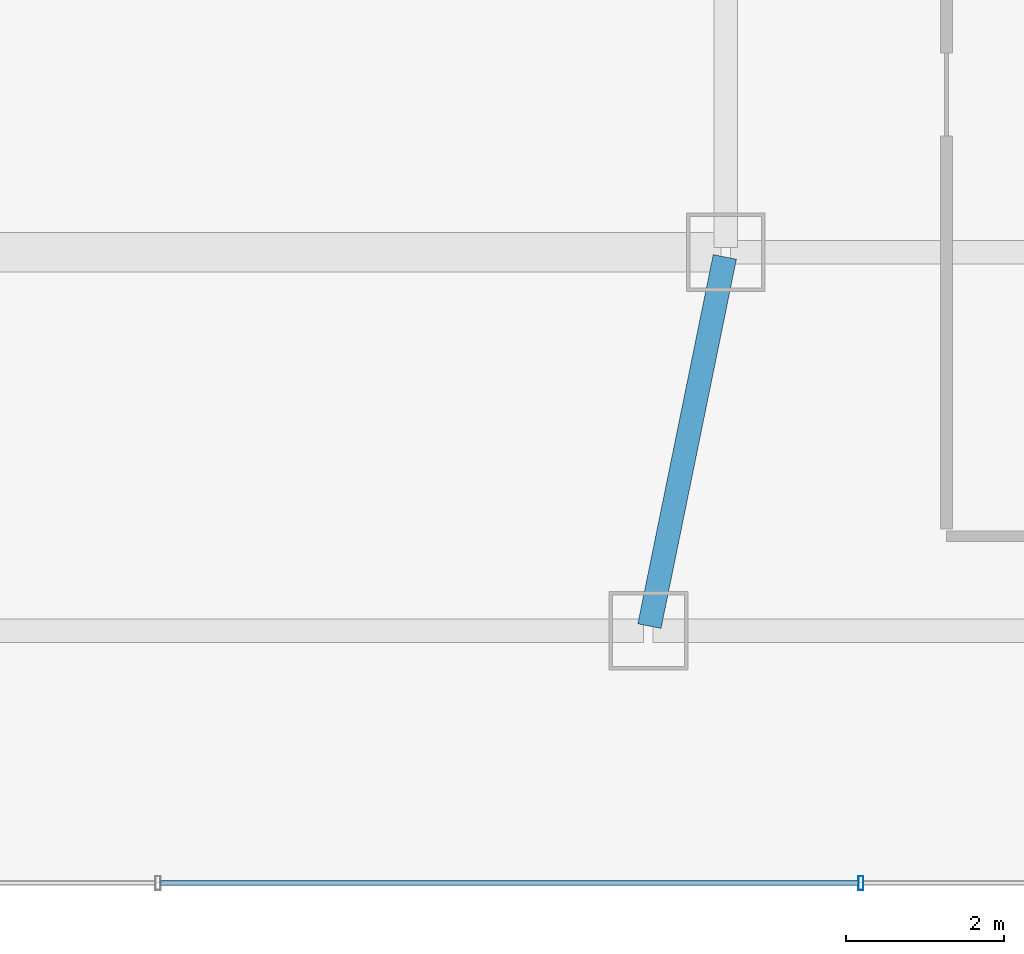
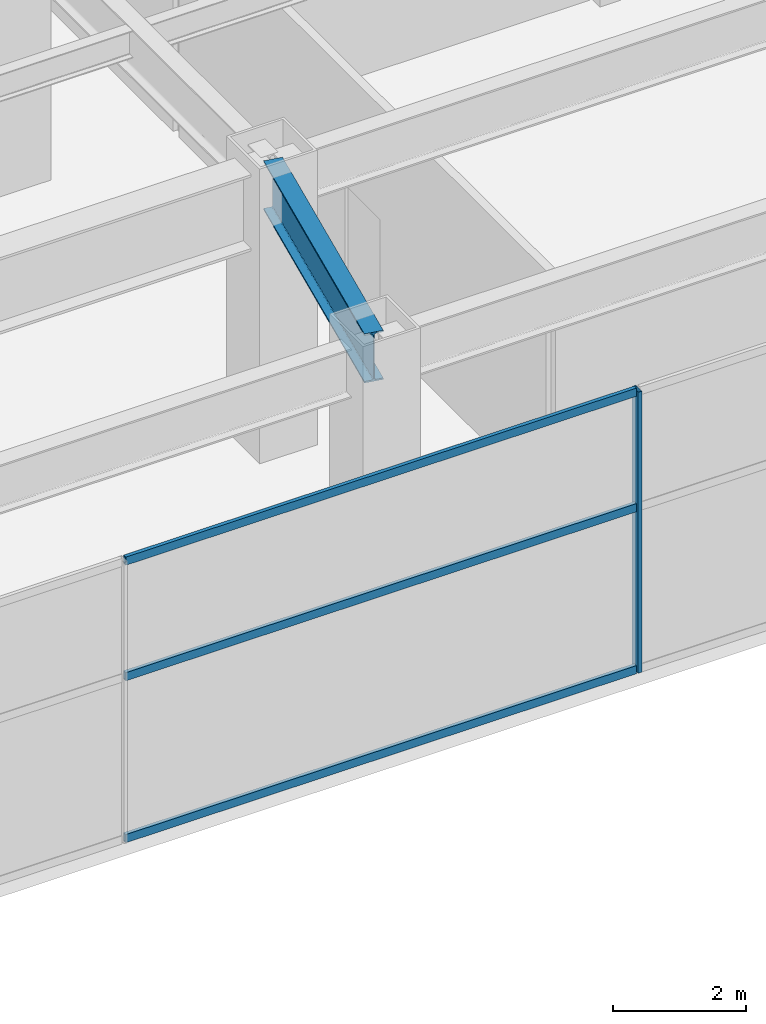
# One storey, part 14 of 53: 4 members, 1 beam, 1 element without a shape of its own.
"""IFC4 building model written with IfcOpenShell, lengths in metres."""

from ifc_helpers import new_model, si_unit, direction, frame, origin, origin_2d, place, context, subcontext, project, spatial, hollow_rectangle, i_section, extrude, material, material_profile, profile_set, type_object, element, aggregate, save


model = new_model("IFC4")

# Units and contexts
model_context = context("Model", 3, precision=1e-05, world=origin(), true_north=direction((0.0, 1.0)))
body_context = subcontext(model_context, "Body", "Model", "MODEL_VIEW")
ifc_project = project(units=[si_unit("LENGTHUNIT", "METRE"), si_unit("AREAUNIT", "SQUARE_METRE"), si_unit("VOLUMEUNIT", "CUBIC_METRE"), si_unit("PLANEANGLEUNIT", "RADIAN"), si_unit("MASSUNIT", "GRAM", prefix="KILO")], contexts=[model_context])

# Site, building, storey
site_placement = place(None, origin())
site = spatial("IfcSite", under=ifc_project, at=site_placement, CompositionType="ELEMENT")
building_placement = place(site_placement, origin())
building = spatial("IfcBuilding", under=site, at=building_placement, Name="Saevonmaru Cultural Tower", CompositionType="ELEMENT")
storey_placement = place(building_placement, frame((0.0, 0.0, 22.199951171875)))
storey = spatial("IfcBuildingStorey", under=building, at=storey_placement, Name="L04", CompositionType="ELEMENT", Elevation=22.199951171875)

# Beam
ifc_material_1 = material(Name="Steel SM420", Category="steel")
ifc_material_profile_1 = material_profile(ifc_material_1, i_section(OverallWidth=0.300048828125, OverallDepth=0.89990234375, WebThickness=0.01611328125, FlangeThickness=0.028076171875, FilletRadius=0.028076171875, at=origin_2d()), Name="H-900x300x16x28")
ifc_profile_set_1 = profile_set([ifc_material_profile_1], Name="Steel SM420")
beam_type = type_object("IfcBeamType", Name="BM-G-H900", PredefinedType="BEAM", material=ifc_profile_set_1)
beam_placement = place(storey_placement, frame((36.23193359375, 3.2587890625, 4.699951171875), z_axis=(0.200054094908, 0.979784853481, 0.0), x_axis=(-0.979784853481, 0.200054094908, 0.0)))
element("IfcBeam", 1, at=beam_placement, inside=storey, type_object=beam_type, Name="L04 Podium Girder NS3-1", PredefinedType="BEAM", context=body_context, shape_type="SweptSolid", body=[
    extrude(i_section(OverallWidth=0.300048828125, OverallDepth=0.89990234375, WebThickness=0.01611328125, FlangeThickness=0.028076171875, FilletRadius=0.028076171875, at=origin_2d()), origin(), (0.0, 0.0, 1.0), 4.779052734375),
])

# Curtain wall, members
ifc_material_2 = material(Name="Satin Bronze Anodised Aluminium", Category="aluminium")
curtain_wall_type = type_object("IfcCurtainWallType", Name="CW-POD-GLZ", PredefinedType="NOTDEFINED", material=ifc_material_2)
curtain_wall_placement = place(storey_placement, origin())
curtain_wall = element("IfcCurtainWall", 2, at=curtain_wall_placement, inside=storey, type_object=curtain_wall_type, Name="L04 South Grand Foyer Curtain Wall", PredefinedType="NOTDEFINED")
ifc_material_profile_2 = material_profile(ifc_material_2, hollow_rectangle(XDim=0.06494140625, YDim=0.179931640625, WallThickness=0.00390625, at=origin_2d()), Name="ALU-MULL-180x65x4")
ifc_profile_set_2 = profile_set([ifc_material_profile_2], Name="Satin Bronze Anodised Aluminium")
member_type_1 = type_object("IfcMemberType", Name="ML-CW-180x65", PredefinedType="MULLION", material=ifc_profile_set_2)
member_1_placement = place(storey_placement, frame((38.913330078125, 0.0, 0.0), z_axis=(0.0, 0.0, 1.0), x_axis=(1.0, 0.0, 0.0)))
member_1 = element("IfcMember", 3, at=member_1_placement, type_object=member_type_1, Name="CW-POD-S-L04 mullion 5", PredefinedType="MULLION", context=body_context, shape_type="SweptSolid", body=[
    extrude(hollow_rectangle(XDim=0.06494140625, YDim=0.179931640625, WallThickness=0.00390625, at=origin_2d()), origin(), (0.0, 0.0, 1.0), 5.150146484375),
])
ifc_material_profile_3 = material_profile(ifc_material_2, hollow_rectangle(XDim=0.06494140625, YDim=0.14990234375, WallThickness=0.00390625, at=origin_2d()), Name="ALU-TRAN-150x65x4")
ifc_profile_set_3 = profile_set([ifc_material_profile_3], Name="Satin Bronze Anodised Aluminium")
member_type_2 = type_object("IfcMemberType", Name="TR-CW-150x65", PredefinedType="USERDEFINED", material=ifc_profile_set_3)
member_2_placement = place(storey_placement, frame((30.032470703125, 0.0, 0.032470703125), z_axis=(1.0, 0.0, 0.0), x_axis=(0.0, 1.0, 0.0)))
member_2 = element("IfcMember", 4, at=member_2_placement, type_object=member_type_2, Name="CW-POD-S-L04 transom 4.1", ObjectType="TRANSOM", PredefinedType="USERDEFINED", context=body_context, shape_type="SweptSolid", body=[
    extrude(hollow_rectangle(XDim=0.06494140625, YDim=0.14990234375, WallThickness=0.00390625, at=origin_2d()), origin(), (0.0, 0.0, 1.0), 8.848388671875),
])
member_3_placement = place(storey_placement, frame((30.032470703125, 0.0, 3.0), z_axis=(1.0, 0.0, 0.0), x_axis=(0.0, 1.0, 0.0)))
member_3 = element("IfcMember", 5, at=member_3_placement, type_object=member_type_2, Name="CW-POD-S-L04 transom 4.2", ObjectType="TRANSOM", PredefinedType="USERDEFINED", context=body_context, shape_type="SweptSolid", body=[
    extrude(hollow_rectangle(XDim=0.06494140625, YDim=0.14990234375, WallThickness=0.00390625, at=origin_2d()), origin(), (0.0, 0.0, 1.0), 8.848388671875),
])
member_4_placement = place(storey_placement, frame((30.032470703125, 0.0, 5.117431640625), z_axis=(1.0, 0.0, 0.0), x_axis=(0.0, 1.0, 0.0)))
member_4 = element("IfcMember", 6, at=member_4_placement, type_object=member_type_2, Name="CW-POD-S-L04 transom 4.3", ObjectType="TRANSOM", PredefinedType="USERDEFINED", context=body_context, shape_type="SweptSolid", body=[
    extrude(hollow_rectangle(XDim=0.06494140625, YDim=0.14990234375, WallThickness=0.00390625, at=origin_2d()), origin(), (0.0, 0.0, 1.0), 8.848388671875),
])
aggregate(curtain_wall, [member_1, member_2, member_3, member_4])

save(model, "model.ifc")
